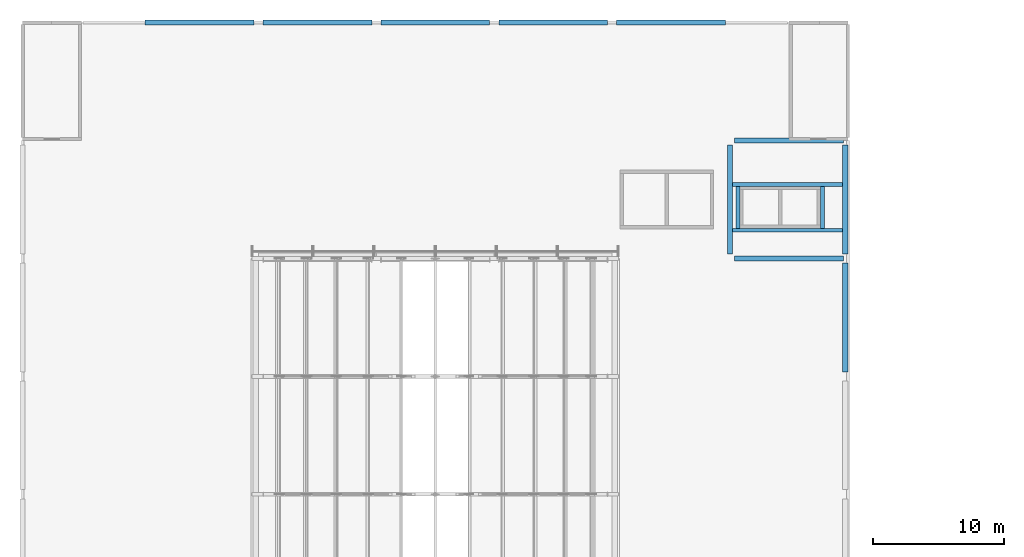
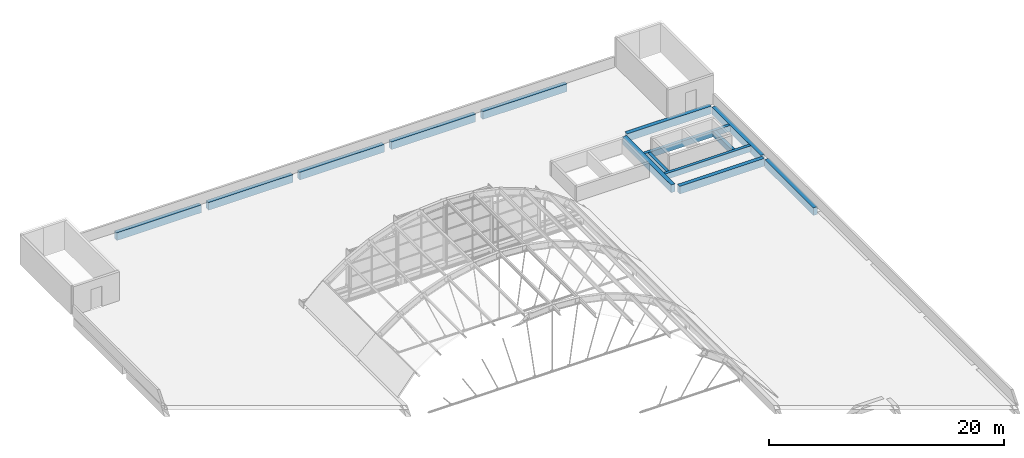
# One storey, part 18 of 43: 14 beams.
"""IFC4 building model written with IfcOpenShell, lengths in metres."""

from ifc_helpers import new_model, si_unit, direction, frame, origin, origin_2d, place, context, subcontext, project, spatial, rectangle, extrude, material, material_profile, profile_set, type_object, element, save


model = new_model("IFC4")

# Units and contexts
model_context = context("Model", 3, precision=1e-05, world=origin(), true_north=direction((0.0, 1.0)))
body_context = subcontext(model_context, "Body", "Model", "MODEL_VIEW")
ifc_project = project(units=[si_unit("LENGTHUNIT", "METRE"), si_unit("AREAUNIT", "SQUARE_METRE"), si_unit("VOLUMEUNIT", "CUBIC_METRE"), si_unit("PLANEANGLEUNIT", "RADIAN"), si_unit("MASSUNIT", "GRAM", prefix="KILO")], contexts=[model_context])

# Site, building, storey
site_placement = place(None, origin())
site = spatial("IfcSite", under=ifc_project, at=site_placement, CompositionType="ELEMENT")
building_placement = place(site_placement, origin())
building = spatial("IfcBuilding", under=site, at=building_placement, Name="Guidao Yard Department Store", CompositionType="ELEMENT")
storey_placement = place(building_placement, frame((0.0, 0.0, 28.5)))
storey = spatial("IfcBuildingStorey", under=building, at=storey_placement, Name="L06", CompositionType="ELEMENT", Elevation=28.5)

# Beams
ifc_material_1 = material(Name="Concrete C40", Category="concrete")
ifc_material_profile_1 = material_profile(ifc_material_1, rectangle(XDim=0.39990234375, YDim=0.800048828125, at=origin_2d()), Name="Edge beam 400 x 800 C40")
ifc_profile_set_1 = profile_set([ifc_material_profile_1], Name="Concrete C40")
beam_type_1 = type_object("IfcBeamType", Name="Edge beam 400 x 800 C40", PredefinedType="BEAM", material=ifc_profile_set_1)
for number, where, z_axis, x_axis, name in (
    (1, (54.35009765625, 90.0, -0.39990234375), (1.0, 0.0, 0.0), (0.0, 1.0, 0.0), "Beam EB31"),
    (2, (54.35009765625, 99.0, -0.39990234375), (1.0, 0.0, 0.0), (0.0, 1.0, 0.0), "Beam EB32"),
    (3, (54.0, 90.35009765625, -0.39990234375), (0.0, 1.0, 0.0), (-1.0, 0.0, 0.0), "Beam EB33"),
):
    element("IfcBeam", number, at=place(storey_placement, frame(where, z_axis=z_axis, x_axis=x_axis)), inside=storey, type_object=beam_type_1, Name=name, PredefinedType="BEAM", context=body_context, shape_type="SweptSolid", body=[
        extrude(rectangle(XDim=0.39990234375, YDim=0.800048828125, at=origin_2d()), origin(), (0.0, 0.0, 1.0), 8.2998046875),
    ])
ifc_material_2 = material(Name="Concrete C40", Category="concrete")
ifc_material_profile_2 = material_profile(ifc_material_2, rectangle(XDim=0.300048828125, YDim=0.60009765625, at=origin_2d()), Name="Opening beam 300 x 600 C40")
ifc_profile_set_2 = profile_set([ifc_material_profile_2], Name="Concrete C40")
beam_type_2 = type_object("IfcBeamType", Name="Opening beam 300 x 600 C40", PredefinedType="BEAM", material=ifc_profile_set_2)
for number, where, z_axis, x_axis, name in (
    (4, (54.199951171875, 92.14990234375, -0.300048828125), (1.0, 0.0, 0.0), (0.0, 1.0, 0.0), "Beam OB09"),
    (5, (54.199951171875, 95.64990234375, -0.300048828125), (1.0, 0.0, 0.0), (0.0, 1.0, 0.0), "Beam OB10"),
):
    element("IfcBeam", number, at=place(storey_placement, frame(where, z_axis=z_axis, x_axis=x_axis)), inside=storey, type_object=beam_type_2, Name=name, PredefinedType="BEAM", context=body_context, shape_type="SweptSolid", body=[
        extrude(rectangle(XDim=0.300048828125, YDim=0.60009765625, at=origin_2d()), origin(), (0.0, 0.0, 1.0), 8.400146484375),
    ])
for number, where, z_axis, x_axis, name in (
    (6, (54.60009765625, 92.300048828125, -0.300048828125), (0.0, 1.0, 0.0), (-1.0, 0.0, 0.0), "Beam OB11"),
    (7, (61.050048828125, 92.300048828125, -0.300048828125), (0.0, 1.0, 0.0), (-1.0, 0.0, 0.0), "Beam OB12"),
):
    element("IfcBeam", number, at=place(storey_placement, frame(where, z_axis=z_axis, x_axis=x_axis)), inside=storey, type_object=beam_type_2, Name=name, PredefinedType="BEAM", context=body_context, shape_type="SweptSolid", body=[
        extrude(rectangle(XDim=0.300048828125, YDim=0.60009765625, at=origin_2d()), origin(), (0.0, 0.0, 1.0), 3.199951171875),
    ])
ifc_material_3 = material(Name="Concrete C40", Category="concrete")
ifc_material_profile_3 = material_profile(ifc_material_3, rectangle(XDim=0.39990234375, YDim=0.800048828125, at=origin_2d()), Name="Spandrel beam 400 x 800 C40")
ifc_profile_set_3 = profile_set([ifc_material_profile_3], Name="Concrete C40")
beam_type_3 = type_object("IfcBeamType", Name="Spandrel beam 400 x 800 C40", PredefinedType="SPANDREL", material=ifc_profile_set_3)
for number, where, z_axis, x_axis, name in (
    (8, (9.35009765625, 108.0, -0.39990234375), (1.0, 0.0, 0.0), (0.0, 1.0, 0.0), "Beam EB01"),
    (9, (18.35009765625, 108.0, -0.39990234375), (1.0, 0.0, 0.0), (0.0, 1.0, 0.0), "Beam EB02"),
    (10, (27.35009765625, 108.0, -0.39990234375), (1.0, 0.0, 0.0), (0.0, 1.0, 0.0), "Beam EB03"),
    (11, (36.35009765625, 108.0, -0.39990234375), (1.0, 0.0, 0.0), (0.0, 1.0, 0.0), "Beam EB04"),
    (12, (45.35009765625, 108.0, -0.39990234375), (1.0, 0.0, 0.0), (0.0, 1.0, 0.0), "Beam EB05"),
    (13, (62.800048828125, 81.35009765625, -0.39990234375), (0.0, 1.0, 0.0), (-1.0, 0.0, 0.0), "Beam EB10"),
    (14, (62.800048828125, 90.35009765625, -0.39990234375), (0.0, 1.0, 0.0), (-1.0, 0.0, 0.0), "Beam EB11"),
):
    element("IfcBeam", number, at=place(storey_placement, frame(where, z_axis=z_axis, x_axis=x_axis)), inside=storey, type_object=beam_type_3, Name=name, PredefinedType="SPANDREL", context=body_context, shape_type="SweptSolid", body=[
        extrude(rectangle(XDim=0.39990234375, YDim=0.800048828125, at=origin_2d()), origin(), (0.0, 0.0, 1.0), 8.2998046875),
    ])

save(model, "model.ifc")
